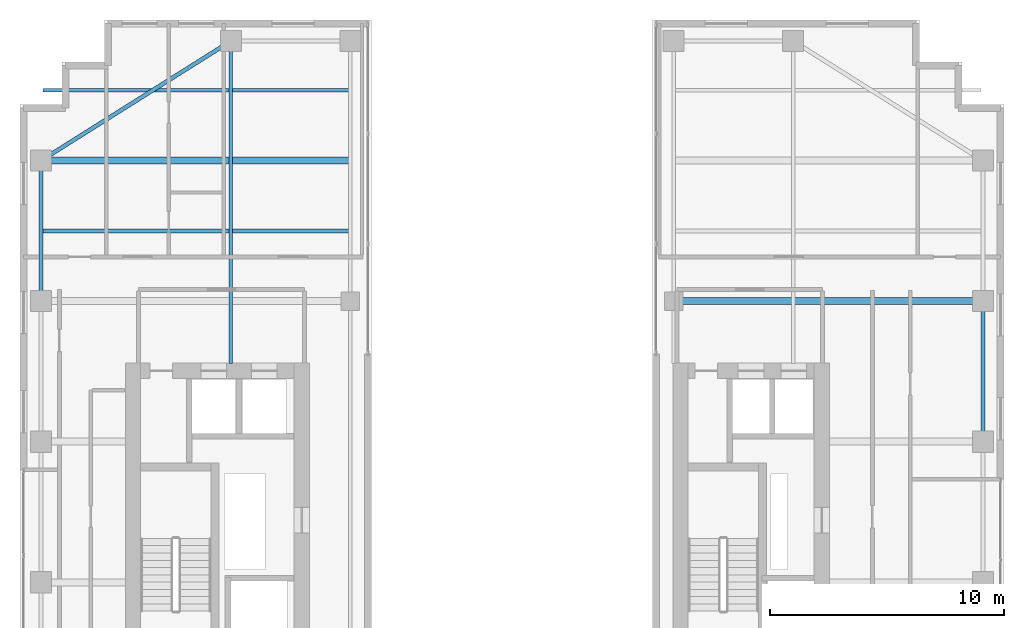
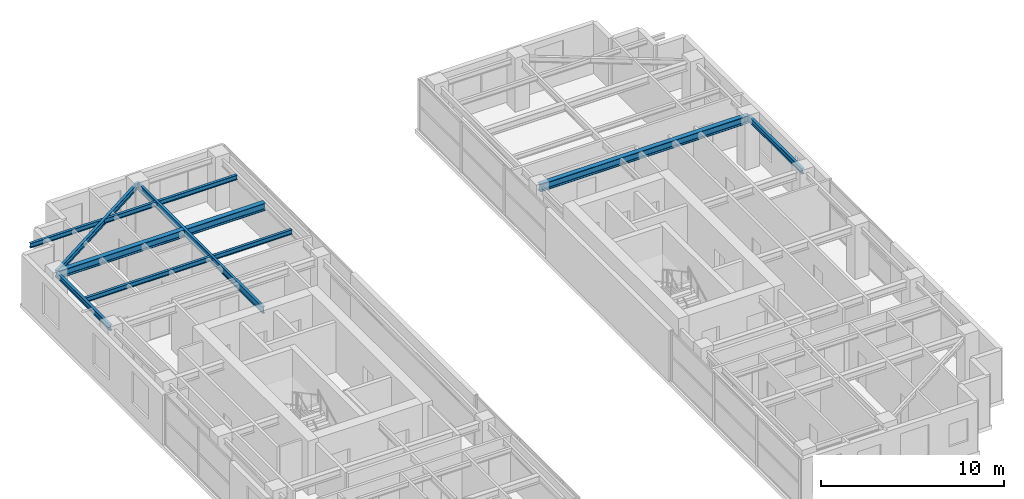
# One storey, part 12 of 20: 8 beams.
"""IFC4 building model written with IfcOpenShell, lengths in metres."""

from ifc_helpers import new_model, si_unit, direction, frame, origin, origin_2d, place, context, subcontext, project, spatial, i_section, extrude, source, transform, mapped, material, material_profile, profile_set, type_object, element, save


model = new_model("IFC4")

# Units and contexts
model_context = context("Model", 3, precision=1e-05, world=origin(), true_north=direction((0.0, 1.0)))
body_context = subcontext(model_context, "Body", "Model", "MODEL_VIEW")
ifc_project = project(units=[si_unit("LENGTHUNIT", "METRE"), si_unit("AREAUNIT", "SQUARE_METRE"), si_unit("VOLUMEUNIT", "CUBIC_METRE"), si_unit("PLANEANGLEUNIT", "RADIAN"), si_unit("MASSUNIT", "GRAM", prefix="KILO")], contexts=[model_context])

# Site, building, storey
site_placement = place(None, origin())
site = spatial("IfcSite", under=ifc_project, at=site_placement, CompositionType="ELEMENT")
building_placement = place(site_placement, origin())
building = spatial("IfcBuilding", under=site, at=building_placement, Name="Khoralis Quay Care Tower", CompositionType="ELEMENT")
storey_placement = place(building_placement, frame((0.0, 0.0, 198.89990234375)))
storey = spatial("IfcBuildingStorey", under=building, at=storey_placement, Name="L52", CompositionType="ELEMENT", Elevation=198.89990234375)

# Beams
ifc_material = material(Name="Steel S355", Category="steel")
ifc_material_profile_1 = material_profile(ifc_material, i_section(OverallWidth=0.169921875, OverallDepth=0.360107421875, WebThickness=0.008056640625, FlangeThickness=0.0126953125, FilletRadius=0.01806640625, at=origin_2d()), Name="Steel S355")
ifc_profile_set_1 = profile_set([ifc_material_profile_1], Name="Steel S355")
beam_type_1 = type_object("IfcBeamType", Name="BM-IPE360", PredefinedType="SPANDREL", material=ifc_profile_set_1)
shared_shape_1 = source(origin(), body_context, "Body", "SweptSolid", [
    extrude(i_section(OverallWidth=0.169921875, OverallDepth=0.360107421875, WebThickness=0.008056640625, FlangeThickness=0.0126953125, FilletRadius=0.01806640625, at=origin_2d()), origin(), (0.0, 0.0, 1.0), 6.0),
])
for number, where, z_axis, x_axis, name in (
    (1, (3.89990234375, 30.0, 3.16015625), (0.0, 1.0, 0.0), (-1.0, 0.0, 0.0), "BM-TSP-L52-09"),
    (2, (44.10009765625, 24.0, 3.16015625), (0.0, 1.0, 0.0), (-1.0, 0.0, 0.0), "BM-TSP-L52-13"),
):
    element("IfcBeam", number, at=place(storey_placement, frame(where, z_axis=z_axis, x_axis=x_axis)), inside=storey, type_object=beam_type_1, Name=name, PredefinedType="SPANDREL", context=body_context, shape_type="MappedRepresentation", body=[
        mapped(shared_shape_1, transform((0.0, 0.0, 0.0), scale=1.0)),
    ])
shared_shape_2 = source(origin(), body_context, "Body", "SweptSolid", [
    extrude(i_section(OverallWidth=0.169921875, OverallDepth=0.360107421875, WebThickness=0.008056640625, FlangeThickness=0.0126953125, FilletRadius=0.01806640625, at=origin_2d()), origin(), (0.0, 0.0, 1.0), 9.572021484375),
])
beam_1_placement = place(storey_placement, frame((12.0, 41.10009765625, 3.16015625), z_axis=(-0.846231136359, -0.532815975602, 0.0), x_axis=(0.532815975602, -0.846231136359, 0.0)))
element("IfcBeam", 3, at=beam_1_placement, inside=storey, type_object=beam_type_1, Name="BM-TCR-L52-17", PredefinedType="SPANDREL", context=body_context, shape_type="MappedRepresentation", body=[
    mapped(shared_shape_2, transform((0.0, 0.0, 0.0), scale=1.0)),
])
ifc_material_profile_2 = material_profile(ifc_material, i_section(OverallWidth=0.300048828125, OverallDepth=0.5, WebThickness=0.014404296875, FlangeThickness=0.028076171875, FilletRadius=0.027099609375, at=origin_2d()), Name="Steel S355")
ifc_profile_set_2 = profile_set([ifc_material_profile_2], Name="Steel S355")
beam_type_2 = type_object("IfcBeamType", Name="BM-HEB500", PredefinedType="BEAM", material=ifc_profile_set_2)
shared_shape_3 = source(origin(), body_context, "Body", "SweptSolid", [
    extrude(i_section(OverallWidth=0.300048828125, OverallDepth=0.5, WebThickness=0.014404296875, FlangeThickness=0.028076171875, FilletRadius=0.027099609375, at=origin_2d()), origin(), (0.0, 0.0, 1.0), 13.135009765625),
])
beam_2_placement = place(storey_placement, frame((3.89990234375, 36.0, 3.090087890625), z_axis=(1.0, 0.0, 0.0), x_axis=(0.0, 1.0, 0.0)))
element("IfcBeam", 4, at=beam_2_placement, inside=storey, type_object=beam_type_2, Name="BM-TGXW-L52-360", PredefinedType="BEAM", context=body_context, shape_type="MappedRepresentation", body=[
    mapped(shared_shape_3, transform((0.0, 0.0, 0.0), scale=1.0)),
])
shared_shape_4 = source(origin(), body_context, "Body", "SweptSolid", [
    extrude(i_section(OverallWidth=0.300048828125, OverallDepth=0.5, WebThickness=0.014404296875, FlangeThickness=0.028076171875, FilletRadius=0.027099609375, at=origin_2d()), origin(), (0.0, 0.0, 1.0), 13.2001953125),
])
beam_3_placement = place(storey_placement, frame((30.89990234375, 30.0, 3.090087890625), z_axis=(1.0, 0.0, 0.0), x_axis=(0.0, 1.0, 0.0)))
element("IfcBeam", 5, at=beam_3_placement, inside=storey, type_object=beam_type_2, Name="BM-TGXE-L52-300", PredefinedType="BEAM", context=body_context, shape_type="MappedRepresentation", body=[
    mapped(shared_shape_4, transform((0.0, 0.0, 0.0), scale=1.0)),
])
ifc_material_profile_3 = material_profile(ifc_material, i_section(OverallWidth=0.154052734375, OverallDepth=0.458984375, WebThickness=0.009033203125, FlangeThickness=0.015380859375, FilletRadius=0.014892578125, at=origin_2d()), Name="Steel S355")
ifc_profile_set_3 = profile_set([ifc_material_profile_3], Name="Steel S355")
beam_type_3 = type_object("IfcBeamType", Name="BM-W460X68", PredefinedType="BEAM", material=ifc_profile_set_3)
shared_shape_5 = source(origin(), body_context, "Body", "SweptSolid", [
    extrude(i_section(OverallWidth=0.154052734375, OverallDepth=0.458984375, WebThickness=0.009033203125, FlangeThickness=0.015380859375, FilletRadius=0.014892578125, at=origin_2d()), origin(), (0.0, 0.0, 1.0), 13.752197265625),
])
beam_4_placement = place(storey_placement, frame((12.0, 27.347900390625, 3.110595703125), z_axis=(0.0, 1.0, 0.0), x_axis=(-1.0, 0.0, 0.0)))
element("IfcBeam", 6, at=beam_4_placement, inside=storey, type_object=beam_type_3, Name="BM-TGYN-L52-120", PredefinedType="BEAM", context=body_context, shape_type="MappedRepresentation", body=[
    mapped(shared_shape_5, transform((0.0, 0.0, 0.0), scale=1.0)),
])
ifc_material_profile_4 = material_profile(ifc_material, i_section(OverallWidth=0.1650390625, OverallDepth=0.31005859375, WebThickness=0.005859375, FlangeThickness=0.009765625, FilletRadius=0.011962890625, at=origin_2d()), Name="Steel S355")
ifc_profile_set_4 = profile_set([ifc_material_profile_4], Name="Steel S355")
beam_type_4 = type_object("IfcBeamType", Name="BM-W310X39", PredefinedType="JOIST", material=ifc_profile_set_4)
shared_shape_6 = source(origin(), body_context, "Body", "SweptSolid", [
    extrude(i_section(OverallWidth=0.1650390625, OverallDepth=0.31005859375, WebThickness=0.005859375, FlangeThickness=0.009765625, FilletRadius=0.011962890625, at=origin_2d()), origin(), (0.0, 0.0, 1.0), 13.06396484375),
])
for number, where, z_axis, x_axis, name in (
    (7, (3.970947265625, 33.0, 3.18505859375), (1.0, 0.0, 0.0), (0.0, 1.0, 0.0), "BM-TJS-L52-21"),
    (8, (3.970947265625, 39.0, 3.18505859375), (1.0, 0.0, 0.0), (0.0, 1.0, 0.0), "BM-TJS-L52-23"),
):
    element("IfcBeam", number, at=place(storey_placement, frame(where, z_axis=z_axis, x_axis=x_axis)), inside=storey, type_object=beam_type_4, Name=name, PredefinedType="JOIST", context=body_context, shape_type="MappedRepresentation", body=[
        mapped(shared_shape_6, transform((0.0, 0.0, 0.0), scale=1.0)),
    ])

save(model, "model.ifc")
